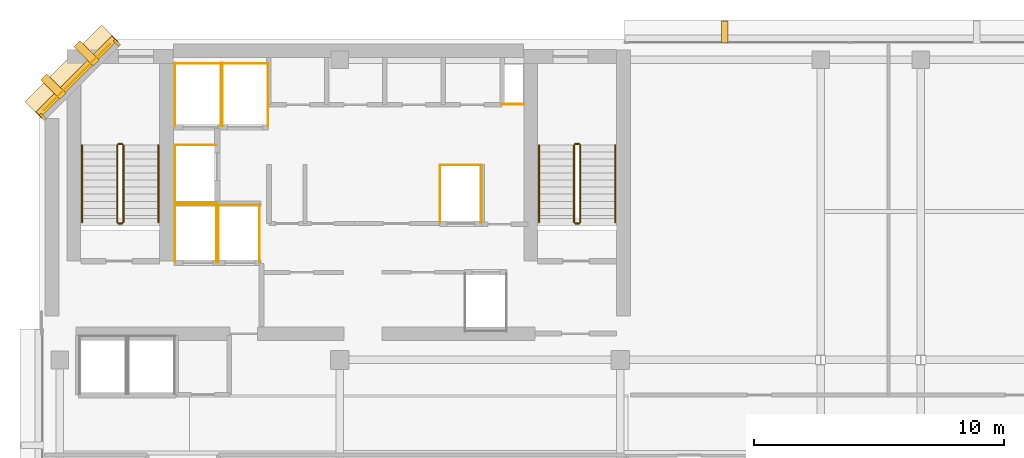
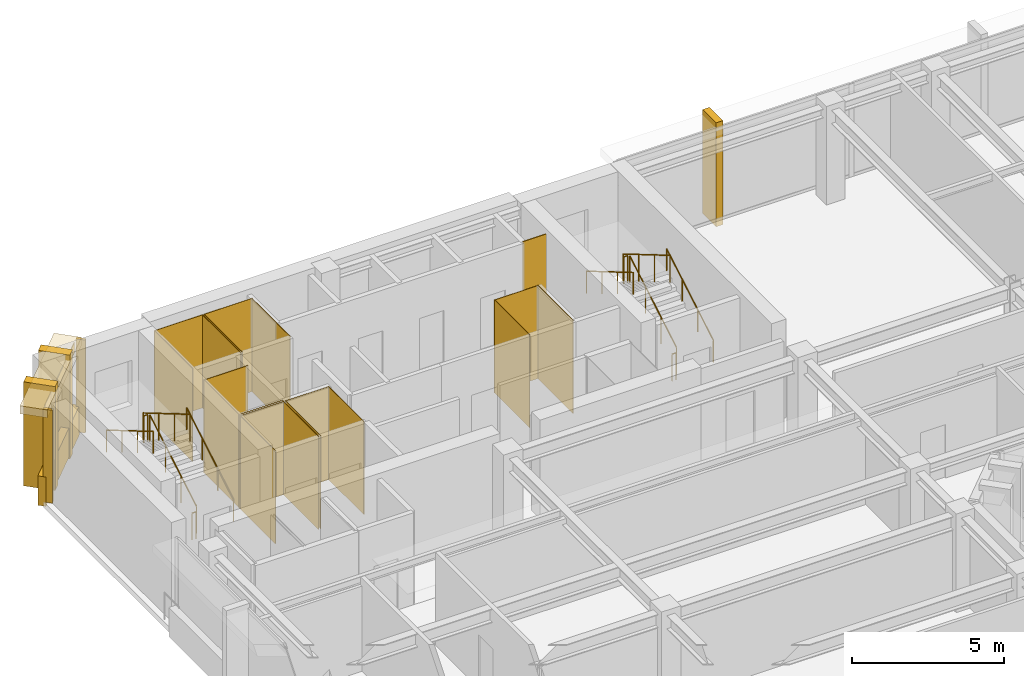
# One storey, part 10 of 11: 27 coverings, 12 railings.
"""IFC4 building model written with IfcOpenShell, lengths in metres."""

from ifc_helpers import new_model, si_unit, direction, frame, origin, origin_2d, place, context, subcontext, project, spatial, polyline, rectangle, circle, outline, extrude, material, layer, layer_set, type_object, element, save


model = new_model("IFC4")

# Units and contexts
model_context = context("Model", 3, precision=1e-05, world=origin(), true_north=direction((0.0, 1.0)))
body_context = subcontext(model_context, "Body", "Model", "MODEL_VIEW")
ifc_project = project(units=[si_unit("LENGTHUNIT", "METRE"), si_unit("AREAUNIT", "SQUARE_METRE"), si_unit("VOLUMEUNIT", "CUBIC_METRE"), si_unit("PLANEANGLEUNIT", "RADIAN"), si_unit("MASSUNIT", "GRAM", prefix="KILO")], contexts=[model_context])

# Site, building, storey
site_placement = place(None, origin())
site = spatial("IfcSite", under=ifc_project, at=site_placement, CompositionType="ELEMENT")
building_placement = place(site_placement, origin())
building = spatial("IfcBuilding", under=site, at=building_placement, Name="Kefirva Bronze Tower", CompositionType="ELEMENT")
storey_placement = place(building_placement, frame((0.0, 0.0, 288.090087890625)))
storey = spatial("IfcBuildingStorey", under=building, at=storey_placement, Name="L70", CompositionType="ELEMENT", Elevation=288.090087890625)

# Coverings
ifc_material_1 = material(Name="Bronze anodised aluminium", Category="aluminium")
ifc_layer_1 = layer(ifc_material_1, 0.02001953125, Name="Bronze anodised aluminium")
ifc_layer_set_1 = layer_set([ifc_layer_1], Name="Bronze anodised aluminium")
covering_type_1 = type_object("IfcCoveringType", Name="Anodised Bronze Spandrel Cladding 20mm", PredefinedType="CLADDING", material=ifc_layer_set_1)
covering_1_placement = place(storey_placement, frame((1.492919921875, 44.507080078125, 3.320068359375), z_axis=(0.0, 0.0, 1.0), x_axis=(-0.707106781187, -0.707106781187, 0.0)))
element("IfcCovering", 1, at=covering_1_placement, inside=storey, type_object=covering_type_1, Name="L70 Bronze Spandrel Cladding 6", PredefinedType="CLADDING", context=body_context, shape_type="SweptSolid", body=[
    extrude(rectangle(XDim=3.719482421875, YDim=0.02001953125, at=origin_2d()), origin(), (0.0, 0.0, 1.0), 0.39990234375),
])
for number, where, z_axis, x_axis, name in (
    (2, (3.08837890625, 45.862060546875, 0.0), (0.0, 0.0, 1.0), (-0.707106781187, -0.707106781187, 0.0), "L70 Facade Joint Closure Panel 6S"),
    (3, (0.137939453125, 42.91162109375, 0.0), (0.0, 0.0, 1.0), (-0.707106781187, -0.707106781187, 0.0), "L70 Facade Joint Closure Panel 6E"),
):
    element("IfcCovering", number, at=place(storey_placement, frame(where, z_axis=z_axis, x_axis=x_axis)), inside=storey, type_object=covering_type_1, Name=name, PredefinedType="CLADDING", context=body_context, shape_type="SweptSolid", body=[
        extrude(rectangle(XDim=0.10009765625, YDim=0.320068359375, at=origin_2d()), origin(), (0.0, 0.0, 1.0), 3.739990234375),
    ])
covering_2_placement = place(storey_placement, frame((1.4716796875, 44.5283203125, -0.16015625), z_axis=(0.0, 0.0, 1.0), x_axis=(-0.707106781187, -0.707106781187, 0.0)))
element("IfcCovering", 4, at=covering_2_placement, inside=storey, type_object=covering_type_1, Name="L70 Streamline Horizontal Spandrel Band 9", PredefinedType="CLADDING", context=body_context, shape_type="SweptSolid", body=[
    extrude(rectangle(XDim=4.28271484375, YDim=0.280029296875, at=origin_2d()), origin(), (0.0, 0.0, 1.0), 1.179931640625),
])
covering_3_placement = place(storey_placement, origin())
element("IfcCovering", 5, at=covering_3_placement, inside=storey, type_object=covering_type_1, Name="L70 Lift FF1 Hoistway Liner N", PredefinedType="CLADDING", context=body_context, shape_type="SweptSolid", body=[
    extrude(outline(polyline([(5.39990234375, 39.389892578125), (7.080078125, 39.389892578125), (7.080078125, 39.409912109375), (5.39990234375, 39.409912109375), (5.39990234375, 39.389892578125)])), origin(), (0.0, 0.0, 1.0), 3.739990234375),
])
covering_4_placement = place(storey_placement, origin())
element("IfcCovering", 6, at=covering_4_placement, inside=storey, type_object=covering_type_1, Name="L70 Lift FF1 Hoistway Liner W", PredefinedType="CLADDING", context=body_context, shape_type="SweptSolid", body=[
    extrude(outline(polyline([(5.409912109375, 37.080078125), (5.429931640625, 37.080078125), (5.429931640625, 39.419921875), (5.409912109375, 39.419921875), (5.409912109375, 37.080078125)])), origin(), (0.0, 0.0, 1.0), 3.739990234375),
])
covering_5_placement = place(storey_placement, origin())
element("IfcCovering", 7, at=covering_5_placement, inside=storey, type_object=covering_type_1, Name="L70 Lift FF1 Hoistway Liner E", PredefinedType="CLADDING", context=body_context, shape_type="SweptSolid", body=[
    extrude(outline(polyline([(7.050048828125, 37.080078125), (7.070068359375, 37.080078125), (7.070068359375, 39.419921875), (7.050048828125, 39.419921875), (7.050048828125, 37.080078125)])), origin(), (0.0, 0.0, 1.0), 3.739990234375),
])
covering_6_placement = place(storey_placement, origin())
element("IfcCovering", 8, at=covering_6_placement, inside=storey, type_object=covering_type_1, Name="L70 Lift FF2 Hoistway Liner N", PredefinedType="CLADDING", context=body_context, shape_type="SweptSolid", body=[
    extrude(outline(polyline([(7.1201171875, 39.389892578125), (8.800048828125, 39.389892578125), (8.800048828125, 39.409912109375), (7.1201171875, 39.409912109375), (7.1201171875, 39.389892578125)])), origin(), (0.0, 0.0, 1.0), 3.739990234375),
])
covering_7_placement = place(storey_placement, origin())
element("IfcCovering", 9, at=covering_7_placement, inside=storey, type_object=covering_type_1, Name="L70 Lift FF2 Hoistway Liner W", PredefinedType="CLADDING", context=body_context, shape_type="SweptSolid", body=[
    extrude(outline(polyline([(7.1298828125, 37.080078125), (7.14990234375, 37.080078125), (7.14990234375, 39.419921875), (7.1298828125, 39.419921875), (7.1298828125, 37.080078125)])), origin(), (0.0, 0.0, 1.0), 3.739990234375),
])
covering_8_placement = place(storey_placement, origin())
element("IfcCovering", 10, at=covering_8_placement, inside=storey, type_object=covering_type_1, Name="L70 Lift FF2 Hoistway Liner E", PredefinedType="CLADDING", context=body_context, shape_type="SweptSolid", body=[
    extrude(outline(polyline([(8.77001953125, 37.080078125), (8.7900390625, 37.080078125), (8.7900390625, 39.419921875), (8.77001953125, 39.419921875), (8.77001953125, 37.080078125)])), origin(), (0.0, 0.0, 1.0), 3.739990234375),
])
covering_9_placement = place(storey_placement, origin())
element("IfcCovering", 11, at=covering_9_placement, inside=storey, type_object=covering_type_1, Name="L70 Lift SV1 Hoistway Liner N", PredefinedType="CLADDING", context=body_context, shape_type="SweptSolid", body=[
    extrude(outline(polyline([(5.39990234375, 45.0400390625), (7.260009765625, 45.0400390625), (7.260009765625, 45.06005859375), (5.39990234375, 45.06005859375), (5.39990234375, 45.0400390625)])), origin(), (0.0, 0.0, 1.0), 3.739990234375),
])
covering_10_placement = place(storey_placement, origin())
element("IfcCovering", 12, at=covering_10_placement, inside=storey, type_object=covering_type_1, Name="L70 Lift SV1 Hoistway Liner W", PredefinedType="CLADDING", context=body_context, shape_type="SweptSolid", body=[
    extrude(outline(polyline([(5.409912109375, 42.530029296875), (5.429931640625, 42.530029296875), (5.429931640625, 45.070068359375), (5.409912109375, 45.070068359375), (5.409912109375, 42.530029296875)])), origin(), (0.0, 0.0, 1.0), 3.739990234375),
])
covering_11_placement = place(storey_placement, origin())
element("IfcCovering", 13, at=covering_11_placement, inside=storey, type_object=covering_type_1, Name="L70 Lift SV1 Hoistway Liner E", PredefinedType="CLADDING", context=body_context, shape_type="SweptSolid", body=[
    extrude(outline(polyline([(7.22998046875, 42.530029296875), (7.25, 42.530029296875), (7.25, 45.070068359375), (7.22998046875, 45.070068359375), (7.22998046875, 42.530029296875)])), origin(), (0.0, 0.0, 1.0), 3.739990234375),
])
covering_12_placement = place(storey_placement, origin())
element("IfcCovering", 14, at=covering_12_placement, inside=storey, type_object=covering_type_1, Name="L70 Lift SV2 Hoistway Liner N", PredefinedType="CLADDING", context=body_context, shape_type="SweptSolid", body=[
    extrude(outline(polyline([(7.280029296875, 45.0400390625), (9.139892578125, 45.0400390625), (9.139892578125, 45.06005859375), (7.280029296875, 45.06005859375), (7.280029296875, 45.0400390625)])), origin(), (0.0, 0.0, 1.0), 3.739990234375),
])
covering_13_placement = place(storey_placement, origin())
element("IfcCovering", 15, at=covering_13_placement, inside=storey, type_object=covering_type_1, Name="L70 Lift SV2 Hoistway Liner W", PredefinedType="CLADDING", context=body_context, shape_type="SweptSolid", body=[
    extrude(outline(polyline([(7.2900390625, 42.530029296875), (7.31005859375, 42.530029296875), (7.31005859375, 45.070068359375), (7.2900390625, 45.070068359375), (7.2900390625, 42.530029296875)])), origin(), (0.0, 0.0, 1.0), 3.739990234375),
])
covering_14_placement = place(storey_placement, origin())
element("IfcCovering", 16, at=covering_14_placement, inside=storey, type_object=covering_type_1, Name="L70 Lift SV2 Hoistway Liner E", PredefinedType="CLADDING", context=body_context, shape_type="SweptSolid", body=[
    extrude(outline(polyline([(9.110107421875, 42.530029296875), (9.1298828125, 42.530029296875), (9.1298828125, 45.070068359375), (9.110107421875, 45.070068359375), (9.110107421875, 42.530029296875)])), origin(), (0.0, 0.0, 1.0), 3.739990234375),
])
covering_15_placement = place(storey_placement, origin())
element("IfcCovering", 17, at=covering_15_placement, inside=storey, type_object=covering_type_1, Name="L70 Lift HP2 Hoistway Liner N", PredefinedType="CLADDING", context=body_context, shape_type="SweptSolid", body=[
    extrude(outline(polyline([(15.97998046875, 40.969970703125), (17.669921875, 40.969970703125), (17.669921875, 40.989990234375), (15.97998046875, 40.989990234375), (15.97998046875, 40.969970703125)])), origin(), (0.0, 0.0, 1.0), 3.739990234375),
])
covering_16_placement = place(storey_placement, origin())
element("IfcCovering", 18, at=covering_16_placement, inside=storey, type_object=covering_type_1, Name="L70 Lift HP2 Hoistway Liner W", PredefinedType="CLADDING", context=body_context, shape_type="SweptSolid", body=[
    extrude(outline(polyline([(15.989990234375, 38.659912109375), (16.010009765625, 38.659912109375), (16.010009765625, 41.0), (15.989990234375, 41.0), (15.989990234375, 38.659912109375)])), origin(), (0.0, 0.0, 1.0), 3.739990234375),
])
covering_17_placement = place(storey_placement, origin())
element("IfcCovering", 19, at=covering_17_placement, inside=storey, type_object=covering_type_1, Name="L70 Lift HP2 Hoistway Liner E", PredefinedType="CLADDING", context=body_context, shape_type="SweptSolid", body=[
    extrude(outline(polyline([(17.639892578125, 38.659912109375), (17.659912109375, 38.659912109375), (17.659912109375, 41.0), (17.639892578125, 41.0), (17.639892578125, 38.659912109375)])), origin(), (0.0, 0.0, 1.0), 3.739990234375),
])
covering_18_placement = place(storey_placement, origin())
element("IfcCovering", 20, at=covering_18_placement, inside=storey, type_object=covering_type_1, Name="L70 Lift HP3 Hoistway Liner N", PredefinedType="CLADDING", context=body_context, shape_type="SweptSolid", body=[
    extrude(outline(polyline([(5.39990234375, 41.77001953125), (7.080078125, 41.77001953125), (7.080078125, 41.7900390625), (5.39990234375, 41.7900390625), (5.39990234375, 41.77001953125)])), origin(), (0.0, 0.0, 1.0), 3.739990234375),
])
covering_19_placement = place(storey_placement, origin())
element("IfcCovering", 21, at=covering_19_placement, inside=storey, type_object=covering_type_1, Name="L70 Lift HP3 Hoistway Liner S", PredefinedType="CLADDING", context=body_context, shape_type="SweptSolid", body=[
    extrude(outline(polyline([(5.39990234375, 39.469970703125), (7.080078125, 39.469970703125), (7.080078125, 39.489990234375), (5.39990234375, 39.489990234375), (5.39990234375, 39.469970703125)])), origin(), (0.0, 0.0, 1.0), 3.739990234375),
])
covering_20_placement = place(storey_placement, origin())
element("IfcCovering", 22, at=covering_20_placement, inside=storey, type_object=covering_type_1, Name="L70 Lift HP3 Hoistway Liner W", PredefinedType="CLADDING", context=body_context, shape_type="SweptSolid", body=[
    extrude(outline(polyline([(5.409912109375, 39.4599609375), (5.429931640625, 39.4599609375), (5.429931640625, 41.800048828125), (5.409912109375, 41.800048828125), (5.409912109375, 39.4599609375)])), origin(), (0.0, 0.0, 1.0), 3.739990234375),
])
covering_21_placement = place(storey_placement, origin())
element("IfcCovering", 23, at=covering_21_placement, inside=storey, type_object=covering_type_1, Name="L70 Core MEP Riser Shaft Liner South", PredefinedType="CLADDING", context=body_context, shape_type="SweptSolid", body=[
    extrude(outline(polyline([(18.47998046875, 43.39990234375), (19.360107421875, 43.39990234375), (19.360107421875, 43.429931640625), (18.47998046875, 43.429931640625), (18.47998046875, 43.39990234375)])), origin(), (0.0, 0.0, 1.0), 3.739990234375),
])

# Railings
ifc_material_2 = material(Name="Stainless steel 316", Category="steel")
railing_type_1 = type_object("IfcRailingType", Name="Interior Stair Guardrail 1100mm", PredefinedType="GUARDRAIL", material=ifc_material_2)
railing_1_placement = place(storey_placement, frame((3.35009765625, 38.699951171875, 0.164794921875)))
element("IfcRailing", 24, at=railing_1_placement, inside=storey, type_object=railing_type_1, Name="L70 ST-1 stair guard 1", PredefinedType="GUARDRAIL", context=body_context, shape_type="SweptSolid", body=[
    extrude(circle(Radius=0.02392578125, at=origin_2d()), frame((0.0, 0.0, 1.076171875), z_axis=(0.0, 0.861521393093, 0.507721271215), x_axis=(-1.0, 0.0, 0.0)), (0.0, 0.0, 1.0), 3.5751953125),
    extrude(circle(Radius=0.02099609375, at=origin_2d()), origin(), (0.0, 0.0, 1.0), 1.052001953125),
    extrude(circle(Radius=0.02099609375, at=origin_2d()), frame((0.0, 1.026611328125, 0.60498046875)), (0.0, 0.0, 1.0), 1.052001953125),
    extrude(circle(Radius=0.02099609375, at=origin_2d()), frame((0.0, 2.053466796875, 1.210205078125)), (0.0, 0.0, 1.0), 1.052001953125),
    extrude(circle(Radius=0.02099609375, at=origin_2d()), frame((0.0, 3.080078125, 1.815185546875)), (0.0, 0.0, 1.0), 1.052001953125),
])
railing_2_placement = place(storey_placement, frame((3.300048828125, 41.830078125, 1.97998046875)))
element("IfcRailing", 25, at=railing_2_placement, inside=storey, type_object=railing_type_1, Name="L70 ST-1 stair guard 2", PredefinedType="GUARDRAIL", context=body_context, shape_type="SweptSolid", body=[
    extrude(circle(Radius=0.02392578125, at=origin_2d()), frame((0.0, 0.0, 1.076171875), z_axis=(-1.0, 0.0, 0.0), x_axis=(0.0, -1.0, 0.0)), (0.0, 0.0, 1.0), 0.150146484375),
    extrude(circle(Radius=0.02099609375, at=origin_2d()), origin(), (0.0, 0.0, 1.0), 1.052001953125),
    extrude(circle(Radius=0.02099609375, at=origin_2d()), frame((-0.150146484375, 0.0, 0.0)), (0.0, 0.0, 1.0), 1.052001953125),
])
railing_3_placement = place(storey_placement, frame((3.10009765625, 41.780029296875, 2.14501953125)))
element("IfcRailing", 26, at=railing_3_placement, inside=storey, type_object=railing_type_1, Name="L70 ST-1 stair guard 3", PredefinedType="GUARDRAIL", context=body_context, shape_type="SweptSolid", body=[
    extrude(circle(Radius=0.02392578125, at=origin_2d()), frame((0.0, 0.0, 1.076171875), z_axis=(0.0, -0.861551262678, 0.507670583921), x_axis=(1.0, 0.0, 0.0)), (0.0, 0.0, 1.0), 3.574951171875),
    extrude(circle(Radius=0.02099609375, at=origin_2d()), origin(), (0.0, 0.0, 1.0), 1.052001953125),
    extrude(circle(Radius=0.02099609375, at=origin_2d()), frame((0.0, -1.026611328125, 0.60498046875)), (0.0, 0.0, 1.0), 1.052001953125),
    extrude(circle(Radius=0.02099609375, at=origin_2d()), frame((0.0, -2.053466796875, 1.2099609375)), (0.0, 0.0, 1.0), 1.052001953125),
    extrude(circle(Radius=0.02099609375, at=origin_2d()), frame((0.0, -3.080078125, 1.81494140625)), (0.0, 0.0, 1.0), 1.052001953125),
])
railing_4_placement = place(storey_placement, frame((3.300048828125, 38.64990234375, 0.0)))
element("IfcRailing", 27, at=railing_4_placement, inside=storey, type_object=railing_type_1, Name="L70 ST-1 stair guard 4", PredefinedType="GUARDRAIL", context=body_context, shape_type="SweptSolid", body=[
    extrude(circle(Radius=0.02392578125, at=origin_2d()), frame((0.0, 0.0, 1.076171875), z_axis=(-1.0, 0.0, 0.0), x_axis=(0.0, -1.0, 0.0)), (0.0, 0.0, 1.0), 0.150146484375),
    extrude(circle(Radius=0.02099609375, at=origin_2d()), origin(), (0.0, 0.0, 1.0), 1.052001953125),
    extrude(circle(Radius=0.02099609375, at=origin_2d()), frame((-0.150146484375, 0.0, 0.0)), (0.0, 0.0, 1.0), 1.052001953125),
])
railing_5_placement = place(storey_placement, frame((21.60009765625, 38.699951171875, 0.164794921875)))
element("IfcRailing", 28, at=railing_5_placement, inside=storey, type_object=railing_type_1, Name="L70 ST-2 stair guard 1", PredefinedType="GUARDRAIL", context=body_context, shape_type="SweptSolid", body=[
    extrude(circle(Radius=0.02392578125, at=origin_2d()), frame((0.0, 0.0, 1.076171875), z_axis=(0.0, 0.861521393093, 0.507721271215), x_axis=(-1.0, 0.0, 0.0)), (0.0, 0.0, 1.0), 3.5751953125),
    extrude(circle(Radius=0.02099609375, at=origin_2d()), origin(), (0.0, 0.0, 1.0), 1.052001953125),
    extrude(circle(Radius=0.02099609375, at=origin_2d()), frame((0.0, 1.026611328125, 0.60498046875)), (0.0, 0.0, 1.0), 1.052001953125),
    extrude(circle(Radius=0.02099609375, at=origin_2d()), frame((0.0, 2.053466796875, 1.210205078125)), (0.0, 0.0, 1.0), 1.052001953125),
    extrude(circle(Radius=0.02099609375, at=origin_2d()), frame((0.0, 3.080078125, 1.815185546875)), (0.0, 0.0, 1.0), 1.052001953125),
])
railing_6_placement = place(storey_placement, frame((21.550048828125, 41.830078125, 1.97998046875)))
element("IfcRailing", 29, at=railing_6_placement, inside=storey, type_object=railing_type_1, Name="L70 ST-2 stair guard 2", PredefinedType="GUARDRAIL", context=body_context, shape_type="SweptSolid", body=[
    extrude(circle(Radius=0.02392578125, at=origin_2d()), frame((0.0, 0.0, 1.076171875), z_axis=(-1.0, 0.0, 0.0), x_axis=(0.0, -1.0, 0.0)), (0.0, 0.0, 1.0), 0.150146484375),
    extrude(circle(Radius=0.02099609375, at=origin_2d()), origin(), (0.0, 0.0, 1.0), 1.052001953125),
    extrude(circle(Radius=0.02099609375, at=origin_2d()), frame((-0.150146484375, 0.0, 0.0)), (0.0, 0.0, 1.0), 1.052001953125),
])
railing_7_placement = place(storey_placement, frame((21.35009765625, 41.780029296875, 2.14501953125)))
element("IfcRailing", 30, at=railing_7_placement, inside=storey, type_object=railing_type_1, Name="L70 ST-2 stair guard 3", PredefinedType="GUARDRAIL", context=body_context, shape_type="SweptSolid", body=[
    extrude(circle(Radius=0.02392578125, at=origin_2d()), frame((0.0, 0.0, 1.076171875), z_axis=(0.0, -0.861551262678, 0.507670583921), x_axis=(1.0, 0.0, 0.0)), (0.0, 0.0, 1.0), 3.574951171875),
    extrude(circle(Radius=0.02099609375, at=origin_2d()), origin(), (0.0, 0.0, 1.0), 1.052001953125),
    extrude(circle(Radius=0.02099609375, at=origin_2d()), frame((0.0, -1.026611328125, 0.60498046875)), (0.0, 0.0, 1.0), 1.052001953125),
    extrude(circle(Radius=0.02099609375, at=origin_2d()), frame((0.0, -2.053466796875, 1.2099609375)), (0.0, 0.0, 1.0), 1.052001953125),
    extrude(circle(Radius=0.02099609375, at=origin_2d()), frame((0.0, -3.080078125, 1.81494140625)), (0.0, 0.0, 1.0), 1.052001953125),
])
railing_8_placement = place(storey_placement, frame((21.550048828125, 38.64990234375, 0.0)))
element("IfcRailing", 31, at=railing_8_placement, inside=storey, type_object=railing_type_1, Name="L70 ST-2 stair guard 4", PredefinedType="GUARDRAIL", context=body_context, shape_type="SweptSolid", body=[
    extrude(circle(Radius=0.02392578125, at=origin_2d()), frame((0.0, 0.0, 1.076171875), z_axis=(-1.0, 0.0, 0.0), x_axis=(0.0, -1.0, 0.0)), (0.0, 0.0, 1.0), 0.150146484375),
    extrude(circle(Radius=0.02099609375, at=origin_2d()), origin(), (0.0, 0.0, 1.0), 1.052001953125),
    extrude(circle(Radius=0.02099609375, at=origin_2d()), frame((-0.150146484375, 0.0, 0.0)), (0.0, 0.0, 1.0), 1.052001953125),
])
railing_type_2 = type_object("IfcRailingType", Name="Stair Pitch Handrail 900mm", PredefinedType="HANDRAIL", material=ifc_material_2)
railing_9_placement = place(storey_placement, frame((4.75, 38.699951171875, 0.164794921875)))
element("IfcRailing", 32, at=railing_9_placement, inside=storey, type_object=railing_type_2, Name="L70 ST-1 stair handrail 1", PredefinedType="HANDRAIL", context=body_context, shape_type="SweptSolid", body=[
    extrude(circle(Radius=0.02392578125, at=origin_2d()), frame((0.0, 0.0, 0.8759765625), z_axis=(0.0, 0.861521393093, 0.507721271215), x_axis=(-1.0, 0.0, 0.0)), (0.0, 0.0, 1.0), 3.5751953125),
    extrude(circle(Radius=0.02099609375, at=origin_2d()), origin(), (0.0, 0.0, 1.0), 0.851806640625),
    extrude(circle(Radius=0.02099609375, at=origin_2d()), frame((0.0, 1.026611328125, 0.60498046875)), (0.0, 0.0, 1.0), 0.851806640625),
    extrude(circle(Radius=0.02099609375, at=origin_2d()), frame((0.0, 2.053466796875, 1.210205078125)), (0.0, 0.0, 1.0), 0.851806640625),
    extrude(circle(Radius=0.02099609375, at=origin_2d()), frame((0.0, 3.080078125, 1.815185546875)), (0.0, 0.0, 1.0), 0.851806640625),
])
railing_10_placement = place(storey_placement, frame((1.699951171875, 41.780029296875, 2.14501953125)))
element("IfcRailing", 33, at=railing_10_placement, inside=storey, type_object=railing_type_2, Name="L70 ST-1 stair handrail 2", PredefinedType="HANDRAIL", context=body_context, shape_type="SweptSolid", body=[
    extrude(circle(Radius=0.02392578125, at=origin_2d()), frame((0.0, 0.0, 0.8759765625), z_axis=(0.0, -0.861551262678, 0.507670583921), x_axis=(1.0, 0.0, 0.0)), (0.0, 0.0, 1.0), 3.574951171875),
    extrude(circle(Radius=0.02099609375, at=origin_2d()), origin(), (0.0, 0.0, 1.0), 0.851806640625),
    extrude(circle(Radius=0.02099609375, at=origin_2d()), frame((0.0, -1.026611328125, 0.60498046875)), (0.0, 0.0, 1.0), 0.851806640625),
    extrude(circle(Radius=0.02099609375, at=origin_2d()), frame((0.0, -2.053466796875, 1.2099609375)), (0.0, 0.0, 1.0), 0.851806640625),
    extrude(circle(Radius=0.02099609375, at=origin_2d()), frame((0.0, -3.080078125, 1.81494140625)), (0.0, 0.0, 1.0), 0.851806640625),
])
railing_11_placement = place(storey_placement, frame((23.0, 38.699951171875, 0.164794921875)))
element("IfcRailing", 34, at=railing_11_placement, inside=storey, type_object=railing_type_2, Name="L70 ST-2 stair handrail 1", PredefinedType="HANDRAIL", context=body_context, shape_type="SweptSolid", body=[
    extrude(circle(Radius=0.02392578125, at=origin_2d()), frame((0.0, 0.0, 0.8759765625), z_axis=(0.0, 0.861521393093, 0.507721271215), x_axis=(-1.0, 0.0, 0.0)), (0.0, 0.0, 1.0), 3.5751953125),
    extrude(circle(Radius=0.02099609375, at=origin_2d()), origin(), (0.0, 0.0, 1.0), 0.851806640625),
    extrude(circle(Radius=0.02099609375, at=origin_2d()), frame((0.0, 1.026611328125, 0.60498046875)), (0.0, 0.0, 1.0), 0.851806640625),
    extrude(circle(Radius=0.02099609375, at=origin_2d()), frame((0.0, 2.053466796875, 1.210205078125)), (0.0, 0.0, 1.0), 0.851806640625),
    extrude(circle(Radius=0.02099609375, at=origin_2d()), frame((0.0, 3.080078125, 1.815185546875)), (0.0, 0.0, 1.0), 0.851806640625),
])
railing_12_placement = place(storey_placement, frame((19.949951171875, 41.780029296875, 2.14501953125)))
element("IfcRailing", 35, at=railing_12_placement, inside=storey, type_object=railing_type_2, Name="L70 ST-2 stair handrail 2", PredefinedType="HANDRAIL", context=body_context, shape_type="SweptSolid", body=[
    extrude(circle(Radius=0.02392578125, at=origin_2d()), frame((0.0, 0.0, 0.8759765625), z_axis=(0.0, -0.861551262678, 0.507670583921), x_axis=(1.0, 0.0, 0.0)), (0.0, 0.0, 1.0), 3.574951171875),
    extrude(circle(Radius=0.02099609375, at=origin_2d()), origin(), (0.0, 0.0, 1.0), 0.851806640625),
    extrude(circle(Radius=0.02099609375, at=origin_2d()), frame((0.0, -1.026611328125, 0.60498046875)), (0.0, 0.0, 1.0), 0.851806640625),
    extrude(circle(Radius=0.02099609375, at=origin_2d()), frame((0.0, -2.053466796875, 1.2099609375)), (0.0, 0.0, 1.0), 0.851806640625),
    extrude(circle(Radius=0.02099609375, at=origin_2d()), frame((0.0, -3.080078125, 1.81494140625)), (0.0, 0.0, 1.0), 0.851806640625),
])

# Coverings
ifc_layer_2 = layer(ifc_material_1, 0.179931640625, Name="Bronze anodised aluminium")
ifc_layer_set_2 = layer_set([ifc_layer_2], Name="Bronze anodised aluminium")
covering_type_2 = type_object("IfcCoveringType", Name="Streamline Bronze Sunshade Eyebrow Cladding 180mm", PredefinedType="CLADDING", material=ifc_layer_set_2)
covering_22_placement = place(storey_placement, frame((1.28076171875, 44.71923828125, 3.419921875), z_axis=(0.0, 0.0, 1.0), x_axis=(-0.707106781187, -0.707106781187, 0.0)))
element("IfcCovering", 36, at=covering_22_placement, inside=storey, type_object=covering_type_2, Name="L70 Streamline Bronze Sunshade Eyebrow 9", PredefinedType="CLADDING", context=body_context, shape_type="SweptSolid", body=[
    extrude(rectangle(XDim=4.322509765625, YDim=0.93994140625, at=origin_2d()), origin(), (0.0, 0.0, 1.0), 0.320068359375),
])
ifc_layer_3 = layer(ifc_material_1, 0.260009765625, Name="Bronze anodised aluminium")
ifc_layer_set_3 = layer_set([ifc_layer_3], Name="Bronze anodised aluminium")
covering_type_3 = type_object("IfcCoveringType", Name="Unbroken Bronze Buttress Fin Cladding 260mm", PredefinedType="CLADDING", material=ifc_layer_set_3)
covering_23_placement = place(storey_placement, frame((27.364013671875, 46.300048828125, -0.22021484375), z_axis=(0.0, 0.0, 1.0), x_axis=(-1.0, 0.0, 0.0)))
element("IfcCovering", 37, at=covering_23_placement, inside=storey, type_object=covering_type_3, Name="L70 Unbroken Vertical Bronze Rib Fin 18", PredefinedType="CLADDING", context=body_context, shape_type="SweptSolid", body=[
    extrude(rectangle(XDim=0.260009765625, YDim=0.8798828125, at=origin_2d()), origin(), (0.0, 0.0, 1.0), 4.179931640625),
])
for number, where, z_axis, x_axis, name in (
    (38, (1.877197265625, 45.44287109375, -0.22021484375), (0.0, 0.0, 1.0), (-0.707106781187, -0.707106781187, 0.0), "L70 Chamfered Corner Buttress Fin Cladding 19"),
    (39, (0.55712890625, 44.122802734375, -0.22021484375), (0.0, 0.0, 1.0), (-0.707106781187, -0.707106781187, 0.0), "L70 Chamfered Corner Buttress Fin Cladding 20"),
):
    element("IfcCovering", number, at=place(storey_placement, frame(where, z_axis=z_axis, x_axis=x_axis)), inside=storey, type_object=covering_type_3, Name=name, PredefinedType="CLADDING", context=body_context, shape_type="SweptSolid", body=[
        extrude(rectangle(XDim=0.340087890625, YDim=1.080078125, at=origin_2d()), origin(), (0.0, 0.0, 1.0), 4.179931640625),
    ])

save(model, "model.ifc")
